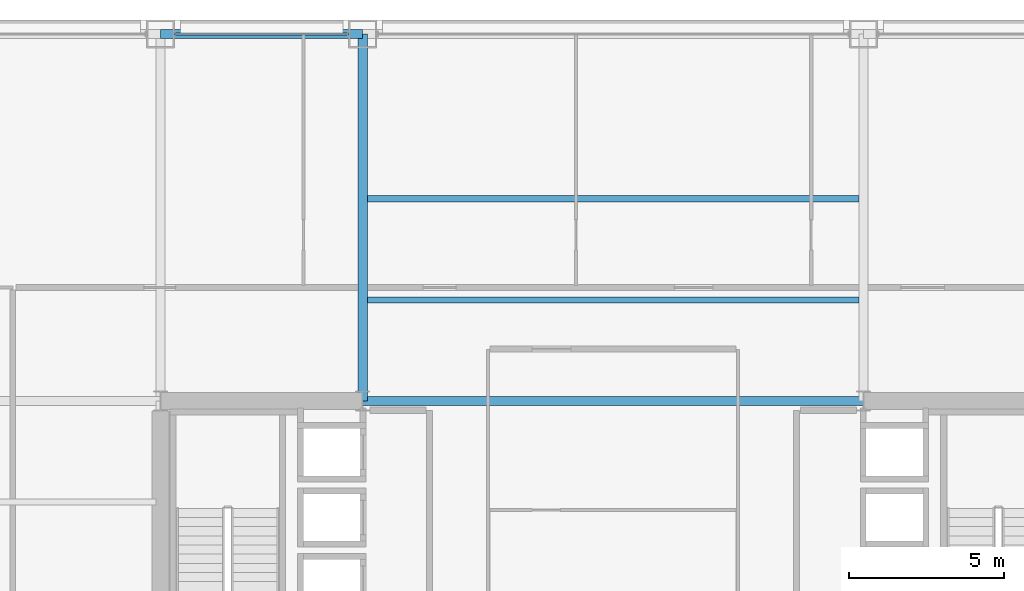
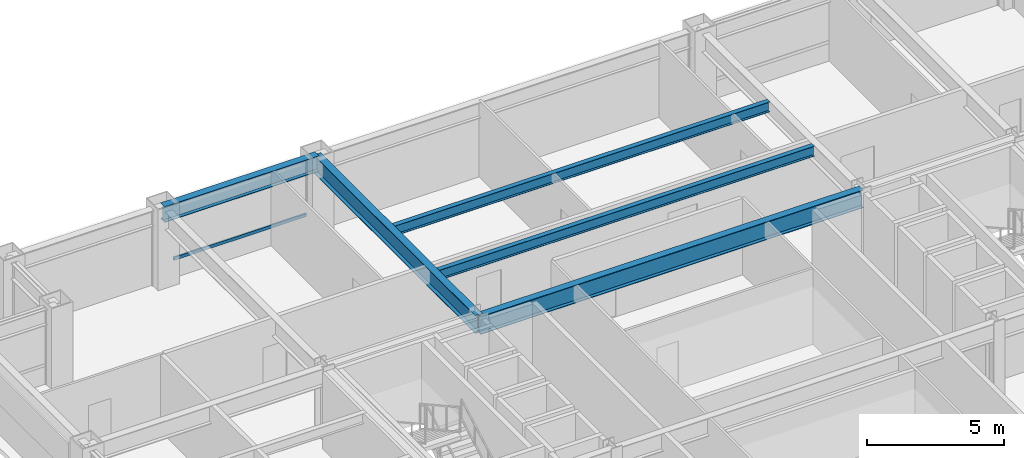
# One storey, part 16 of 28: 5 beams, 1 member, 1 element without a shape of its own.
"""IFC4 building model written with IfcOpenShell, lengths in metres."""

from ifc_helpers import new_model, si_unit, direction, frame, origin, origin_2d, place, context, subcontext, project, spatial, hollow_rectangle, i_section, extrude, material, layer, layer_set, material_profile, profile_set, type_object, element, aggregate, save


model = new_model("IFC4")

# Units and contexts
model_context = context("Model", 3, precision=1e-05, world=origin(), true_north=direction((0.0, 1.0)))
body_context = subcontext(model_context, "Body", "Model", "MODEL_VIEW")
ifc_project = project(units=[si_unit("LENGTHUNIT", "METRE"), si_unit("AREAUNIT", "SQUARE_METRE"), si_unit("VOLUMEUNIT", "CUBIC_METRE"), si_unit("PLANEANGLEUNIT", "RADIAN"), si_unit("MASSUNIT", "GRAM", prefix="KILO")], contexts=[model_context])

# Site, building, storey
site_placement = place(None, origin())
site = spatial("IfcSite", under=ifc_project, at=site_placement, CompositionType="ELEMENT")
building_placement = place(site_placement, origin())
building = spatial("IfcBuilding", under=site, at=building_placement, Name="Brelmoor Portico Tower", CompositionType="ELEMENT")
storey_placement = place(building_placement, frame((0.0, 0.0, 70.800048828125)))
storey = spatial("IfcBuildingStorey", under=building, at=storey_placement, Name="L18", CompositionType="ELEMENT", Elevation=70.800048828125)

# Beams
ifc_material_1 = material(Name="Steel Q355B", Category="steel")
ifc_material_profile_1 = material_profile(ifc_material_1, i_section(OverallWidth=0.199951171875, OverallDepth=0.449951171875, WebThickness=0.009033203125, FlangeThickness=0.013916015625, at=origin_2d()), Name="HN 450x200x9x14")
ifc_profile_set_1 = profile_set([ifc_material_profile_1], Name="Steel Q355B")
beam_type_1 = type_object("IfcBeamType", Name="BM-JS-450", PredefinedType="JOIST", material=ifc_profile_set_1)
for number, where, z_axis, x_axis, name in (
    (1, (-7.89990234375, 13.0, 3.175048828125), (1.0, 0.0, 0.0), (0.0, 1.0, 0.0), "L18 Secondary Composite Joist JS-C03"),
    (2, (-7.89990234375, 16.25, 3.175048828125), (1.0, 0.0, 0.0), (0.0, 1.0, 0.0), "L18 Secondary Composite Joist JS-C04"),
):
    element("IfcBeam", number, at=place(storey_placement, frame(where, z_axis=z_axis, x_axis=x_axis)), inside=storey, type_object=beam_type_1, Name=name, PredefinedType="JOIST", context=body_context, shape_type="SweptSolid", body=[
        extrude(i_section(OverallWidth=0.199951171875, OverallDepth=0.449951171875, WebThickness=0.009033203125, FlangeThickness=0.013916015625, at=origin_2d()), origin(), (0.0, 0.0, 1.0), 15.7998046875),
    ])
ifc_material_profile_2 = material_profile(ifc_material_1, i_section(OverallWidth=0.300048828125, OverallDepth=0.800048828125, WebThickness=0.013916015625, FlangeThickness=0.02587890625, at=origin_2d()), Name="HN 800x300x14x26")
ifc_profile_set_2 = profile_set([ifc_material_profile_2], Name="Steel Q355B")
beam_type_2 = type_object("IfcBeamType", Name="BM-PG-800", PredefinedType="BEAM", material=ifc_profile_set_2)
beam_1_placement = place(storey_placement, frame((-8.050048828125, 9.75, 3.0), z_axis=(0.0, 1.0, 0.0), x_axis=(-1.0, 0.0, 0.0)))
element("IfcBeam", 3, at=beam_1_placement, inside=storey, type_object=beam_type_2, Name="L18 Primary Floor Girder PG-08", PredefinedType="BEAM", context=body_context, shape_type="SweptSolid", body=[
    extrude(i_section(OverallWidth=0.300048828125, OverallDepth=0.800048828125, WebThickness=0.013916015625, FlangeThickness=0.02587890625, at=origin_2d()), origin(), (0.0, 0.0, 1.0), 11.800048828125),
])
beam_2_placement = place(storey_placement, frame((-8.050048828125, 9.75, 3.0), z_axis=(1.0, 0.0, 0.0), x_axis=(0.0, 1.0, 0.0)))
element("IfcBeam", 4, at=beam_2_placement, inside=storey, type_object=beam_type_2, Name="L18 Primary Floor Girder PG-29", PredefinedType="BEAM", context=body_context, shape_type="SweptSolid", body=[
    extrude(i_section(OverallWidth=0.300048828125, OverallDepth=0.800048828125, WebThickness=0.013916015625, FlangeThickness=0.02587890625, at=origin_2d()), origin(), (0.0, 0.0, 1.0), 16.10009765625),
])
ifc_material_profile_3 = material_profile(ifc_material_1, i_section(OverallWidth=0.300048828125, OverallDepth=0.699951171875, WebThickness=0.012939453125, FlangeThickness=0.02392578125, at=origin_2d()), Name="HN 700x300x13x24")
ifc_profile_set_3 = profile_set([ifc_material_profile_3], Name="Steel Q355B")
beam_type_3 = type_object("IfcBeamType", Name="BM-SP-700", PredefinedType="SPANDREL", material=ifc_profile_set_3)
beam_3_placement = place(storey_placement, frame((-14.550048828125, 21.550048828125, 3.050048828125), z_axis=(1.0, 0.0, 0.0), x_axis=(0.0, 1.0, 0.0)))
element("IfcBeam", 5, at=beam_3_placement, inside=storey, type_object=beam_type_3, Name="L18 Perimeter Spandrel Beam SP-11", PredefinedType="SPANDREL", context=body_context, shape_type="SweptSolid", body=[
    extrude(i_section(OverallWidth=0.300048828125, OverallDepth=0.699951171875, WebThickness=0.012939453125, FlangeThickness=0.02392578125, at=origin_2d()), origin(), (0.0, 0.0, 1.0), 6.5),
])

# Curtain wall, member
ifc_material_2 = material(Name="Anodised Aluminium Alloy 6063-T6", Category="aluminium")
ifc_layer = layer(ifc_material_2, 0.179931640625)
ifc_layer_set = layer_set([ifc_layer], Name="Anodised Aluminium Alloy 6063-T6")
curtain_wall_type = type_object("IfcCurtainWallType", Name="CW-TOWER-Z1", PredefinedType="NOTDEFINED", material=ifc_layer_set)
curtain_wall_placement = place(storey_placement, origin())
curtain_wall = element("IfcCurtainWall", 6, at=curtain_wall_placement, inside=storey, type_object=curtain_wall_type, Name="L18 Curtain Wall CW-L18-02-2", PredefinedType="NOTDEFINED")
ifc_material_profile_4 = material_profile(ifc_material_2, hollow_rectangle(XDim=0.06494140625, YDim=0.139892578125, WallThickness=0.00390625, at=origin_2d()), Name="ALU TRANSOM 65x140")
ifc_profile_set_4 = profile_set([ifc_material_profile_4], Name="Anodised Aluminium Alloy 6063-T6")
member_type = type_object("IfcMemberType", Name="MB-CW-TRAN-140", PredefinedType="USERDEFINED", material=ifc_profile_set_4)
member_placement = place(storey_placement, frame((-14.090087890625, 21.550048828125, 0.849853515625), z_axis=(1.0, 0.0, 0.0), x_axis=(0.0, 1.0, 0.0)))
member = element("IfcMember", 7, at=member_placement, type_object=member_type, Name="CW-L18-02-2 Transom 1-00", ObjectType="TRANSOM", PredefinedType="USERDEFINED", context=body_context, shape_type="SweptSolid", body=[
    extrude(hollow_rectangle(XDim=0.06494140625, YDim=0.139892578125, WallThickness=0.00390625, at=origin_2d()), origin(), (0.0, 0.0, 1.0), 5.580078125),
])
aggregate(curtain_wall, [member])

save(model, "model.ifc")
